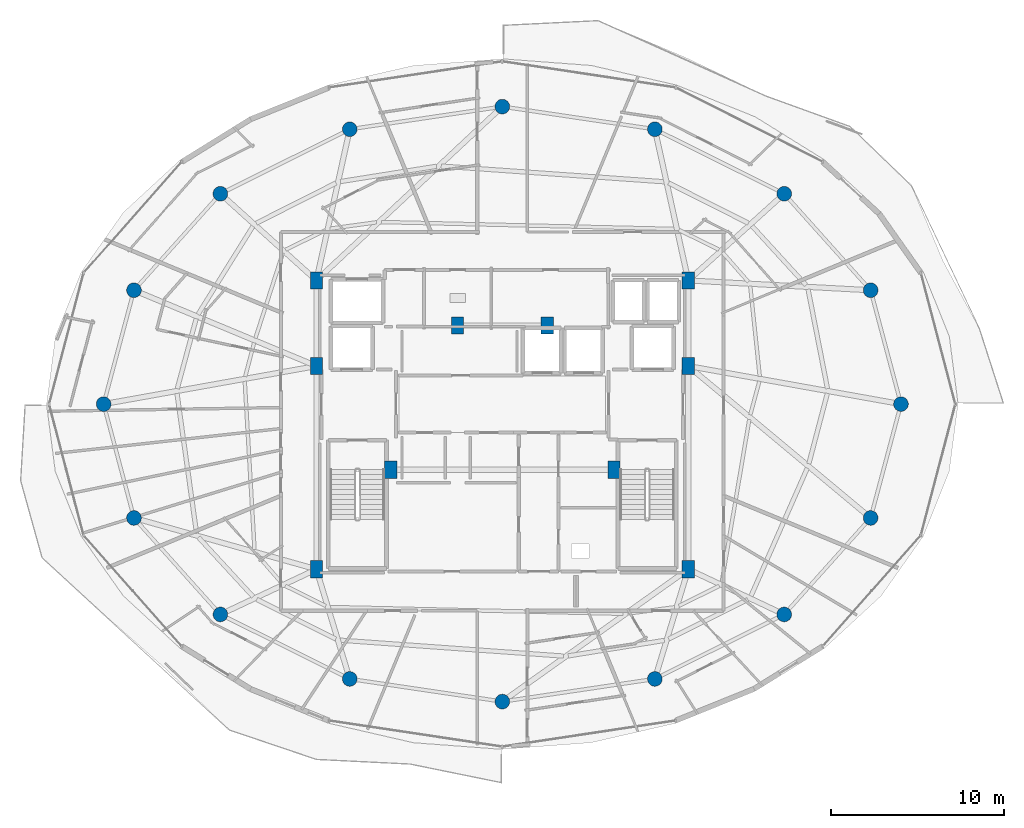
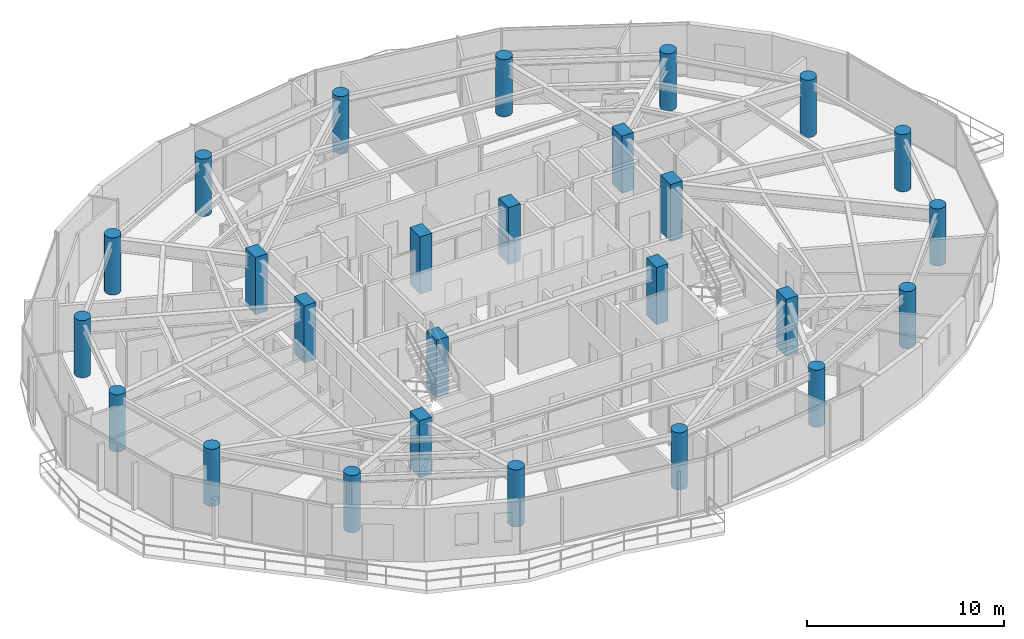
# One storey, part 1 of 31: 26 columns.
"""IFC4 building model written with IfcOpenShell, lengths in metres."""

from ifc_helpers import new_model, si_unit, direction, frame, origin, origin_2d, place, context, subcontext, project, spatial, rectangle, circle, extrude, material, material_profile, profile_set, type_object, element, save


model = new_model("IFC4")

# Units and contexts
model_context = context("Model", 3, precision=1e-05, world=origin(), true_north=direction((0.0, 1.0)))
body_context = subcontext(model_context, "Body", "Model", "MODEL_VIEW")
ifc_project = project(units=[si_unit("LENGTHUNIT", "METRE"), si_unit("AREAUNIT", "SQUARE_METRE"), si_unit("VOLUMEUNIT", "CUBIC_METRE"), si_unit("PLANEANGLEUNIT", "RADIAN"), si_unit("MASSUNIT", "GRAM", prefix="KILO")], contexts=[model_context])

# Site, building, storey
site_placement = place(None, origin())
site = spatial("IfcSite", under=ifc_project, at=site_placement, CompositionType="ELEMENT")
building_placement = place(site_placement, origin())
building = spatial("IfcBuilding", under=site, at=building_placement, Name="Vorneva Point Tower", CompositionType="ELEMENT")
storey_placement = place(building_placement, frame((0.0, 0.0, 266.199951171875)))
storey = spatial("IfcBuildingStorey", under=building, at=storey_placement, Name="L72", CompositionType="ELEMENT", Elevation=266.199951171875)

# Columns
ifc_material = material(Name="Concrete B50 (C40/50)", Category="concrete")
ifc_material_profile_1 = material_profile(ifc_material, circle(Radius=0.425048828125, at=origin_2d()), Name="RC-CIRC 850")
ifc_profile_set_1 = profile_set([ifc_material_profile_1], Name="Concrete B50 (C40/50)")
column_type_1 = type_object("IfcColumnType", Name="COL-RC850C", PredefinedType="COLUMN", material=ifc_profile_set_1)
for number, where, z_axis, x_axis, name in (
    (1, (61.050048828125, 26.0, 0.0), (0.0, 0.0, 1.0), (1.0, 0.0, 0.0), "L72 Perimeter Column P01"),
    (2, (59.29541015625, 32.582275390625, 0.0), (0.0, 0.0, 1.0), (0.923879532511, 0.382683432365, 0.0), "L72 Perimeter Column P02"),
    (3, (54.298828125, 38.162109375, 0.0), (0.0, 0.0, 1.0), (0.707106781187, 0.707106781187, 0.0), "L72 Perimeter Column P03"),
    (4, (46.82080078125, 41.890625, 0.0), (0.0, 0.0, 1.0), (0.382683432365, 0.923879532511, 0.0), "L72 Perimeter Column P04"),
    (5, (38.0, 43.199951171875, 0.0), (0.0, 0.0, 1.0), (0.0, 1.0, 0.0), "L72 Perimeter Column P05"),
    (6, (29.17919921875, 41.890625, 0.0), (0.0, 0.0, 1.0), (-0.382683432365, 0.923879532511, 0.0), "L72 Perimeter Column P06"),
    (7, (21.701171875, 38.162109375, 0.0), (0.0, 0.0, 1.0), (-0.707106781187, 0.707106781187, 0.0), "L72 Perimeter Column P07"),
    (8, (16.70458984375, 32.582275390625, 0.0), (0.0, 0.0, 1.0), (-0.923879532511, 0.382683432365, 0.0), "L72 Perimeter Column P08"),
    (9, (14.949951171875, 26.0, 0.0), (0.0, 0.0, 1.0), (-1.0, 0.0, 0.0), "L72 Perimeter Column P09"),
    (10, (16.70458984375, 19.417724609375, 0.0), (0.0, 0.0, 1.0), (-0.923879532511, -0.382683432365, 0.0), "L72 Perimeter Column P10"),
    (11, (21.701171875, 13.837890625, 0.0), (0.0, 0.0, 1.0), (-0.707106781187, -0.707106781187, 0.0), "L72 Perimeter Column P11"),
    (12, (29.17919921875, 10.109375, 0.0), (0.0, 0.0, 1.0), (-0.382683432365, -0.923879532511, 0.0), "L72 Perimeter Column P12"),
    (13, (38.0, 8.800048828125, 0.0), (0.0, 0.0, 1.0), (0.0, -1.0, 0.0), "L72 Perimeter Column P13"),
    (14, (46.82080078125, 10.109375, 0.0), (0.0, 0.0, 1.0), (0.382683432365, -0.923879532511, 0.0), "L72 Perimeter Column P14"),
    (15, (54.298828125, 13.837890625, 0.0), (0.0, 0.0, 1.0), (0.707106781187, -0.707106781187, 0.0), "L72 Perimeter Column P15"),
    (16, (59.29541015625, 19.417724609375, 0.0), (0.0, 0.0, 1.0), (0.923879532511, -0.382683432365, 0.0), "L72 Perimeter Column P16"),
):
    element("IfcColumn", number, at=place(storey_placement, frame(where, z_axis=z_axis, x_axis=x_axis)), inside=storey, type_object=column_type_1, Name=name, PredefinedType="COLUMN", context=body_context, shape_type="SweptSolid", body=[
        extrude(circle(Radius=0.425048828125, at=origin_2d()), origin(), (0.0, 0.0, 1.0), 3.550048828125),
    ])
ifc_material_profile_2 = material_profile(ifc_material, rectangle(XDim=0.699951171875, YDim=1.0, at=origin_2d()), Name="RC-PIL 1000x700")
ifc_profile_set_2 = profile_set([ifc_material_profile_2], Name="Concrete B50 (C40/50)")
column_type_2 = type_object("IfcColumnType", Name="PIL-RC1000x700", PredefinedType="PILASTER", material=ifc_profile_set_2)
for number, where, z_axis, x_axis, name in (
    (17, (27.25, 16.449951171875, 0.0), (0.0, 0.0, 1.0), (1.0, 0.0, 0.0), "L72 Core Pilaster CP1"),
    (18, (27.25, 28.199951171875, 0.0), (0.0, 0.0, 1.0), (1.0, 0.0, 0.0), "L72 Core Pilaster CP2"),
    (19, (27.25, 33.14990234375, 0.0), (0.0, 0.0, 1.0), (1.0, 0.0, 0.0), "L72 Core Pilaster CP3"),
    (20, (31.550048828125, 22.199951171875, 0.0), (0.0, 0.0, 1.0), (1.0, 0.0, 0.0), "L72 Core Pilaster CP4"),
    (21, (48.75, 33.14990234375, 0.0), (0.0, 0.0, 1.0), (1.0, 0.0, 0.0), "L72 Core Pilaster CP5"),
    (22, (48.75, 28.199951171875, 0.0), (0.0, 0.0, 1.0), (1.0, 0.0, 0.0), "L72 Core Pilaster CP6"),
    (23, (48.75, 16.449951171875, 0.0), (0.0, 0.0, 1.0), (1.0, 0.0, 0.0), "L72 Core Pilaster CP7"),
    (24, (44.449951171875, 22.199951171875, 0.0), (0.0, 0.0, 1.0), (1.0, 0.0, 0.0), "L72 Core Pilaster CP8"),
    (25, (35.39990234375, 30.550048828125, 0.0), (0.0, 0.0, 1.0), (1.0, 0.0, 0.0), "L72 Core Pilaster CP9"),
    (26, (40.60009765625, 30.550048828125, 0.0), (0.0, 0.0, 1.0), (1.0, 0.0, 0.0), "L72 Core Pilaster CP10"),
):
    element("IfcColumn", number, at=place(storey_placement, frame(where, z_axis=z_axis, x_axis=x_axis)), inside=storey, type_object=column_type_2, Name=name, PredefinedType="PILASTER", context=body_context, shape_type="SweptSolid", body=[
        extrude(rectangle(XDim=0.699951171875, YDim=1.0, at=origin_2d()), origin(), (0.0, 0.0, 1.0), 3.550048828125),
    ])

save(model, "model.ifc")
